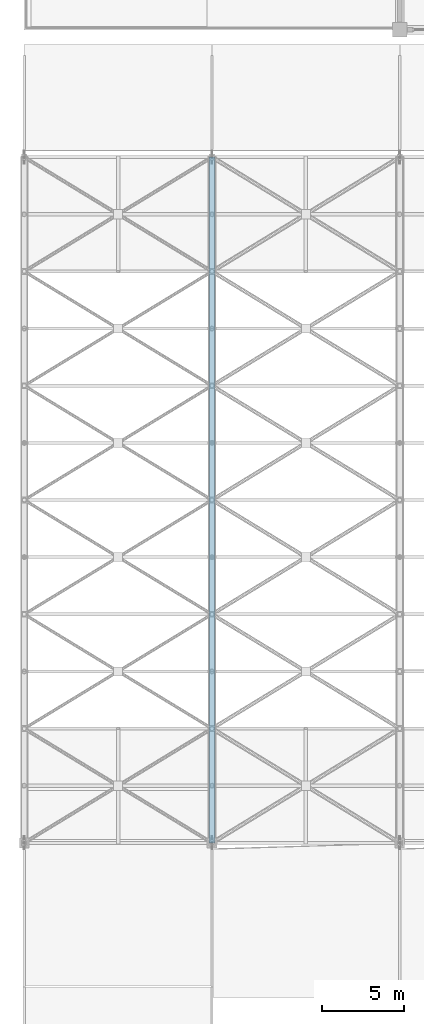
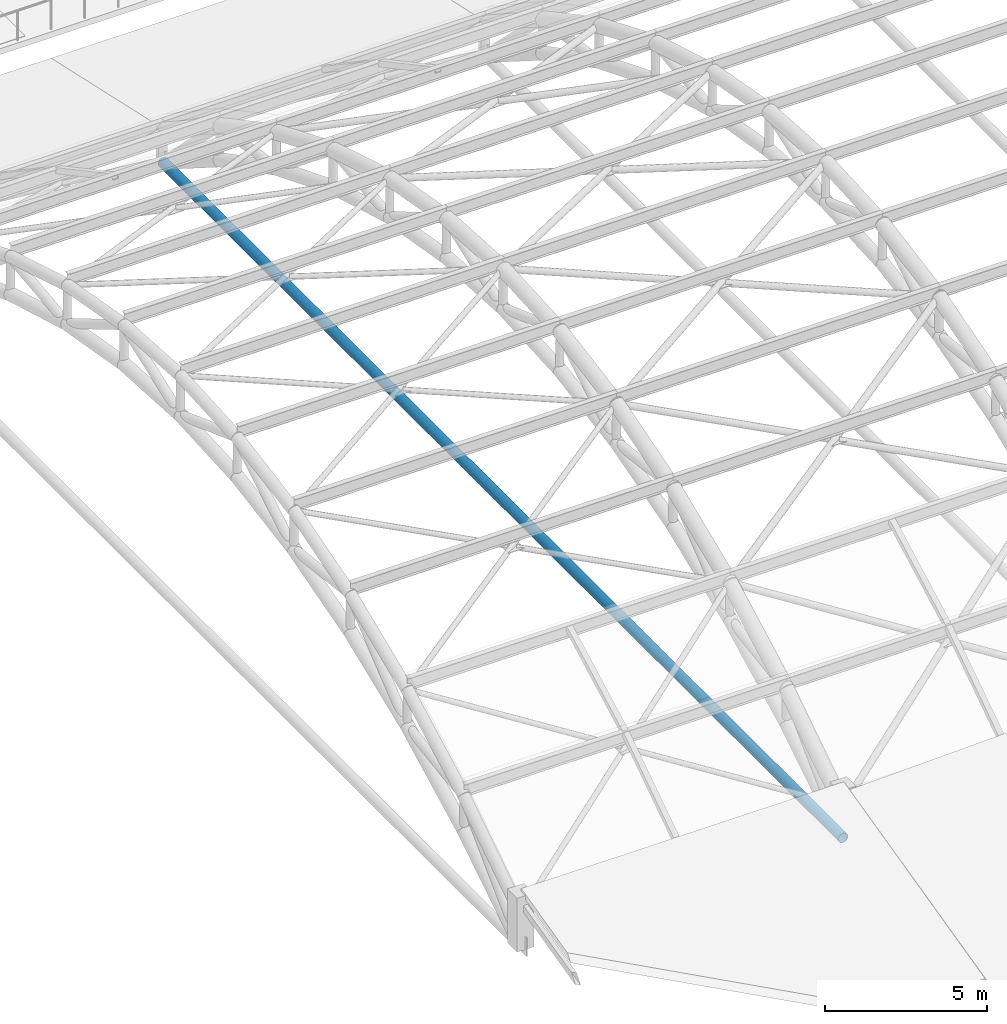
# One storey, part 15 of 154: 1 member.
"""IFC4 building model written with IfcOpenShell, lengths in metres."""

from ifc_helpers import new_model, si_unit, direction, frame, origin, origin_2d, place, context, subcontext, project, spatial, hollow_circle, extrude, material, material_profile, profile_set, type_object, element, save


model = new_model("IFC4")

# Units and contexts
model_context = context("Model", 3, precision=1e-05, world=origin(), true_north=direction((0.0, 1.0)))
body_context = subcontext(model_context, "Body", "Model", "MODEL_VIEW")
ifc_project = project(units=[si_unit("LENGTHUNIT", "METRE"), si_unit("AREAUNIT", "SQUARE_METRE"), si_unit("VOLUMEUNIT", "CUBIC_METRE"), si_unit("PLANEANGLEUNIT", "RADIAN"), si_unit("MASSUNIT", "GRAM", prefix="KILO")], contexts=[model_context])

# Site, building, storey
site_placement = place(None, origin())
site = spatial("IfcSite", under=ifc_project, at=site_placement, CompositionType="ELEMENT")
building_placement = place(site_placement, origin())
building = spatial("IfcBuilding", under=site, at=building_placement, Name="Ologun Quay Terminus", CompositionType="ELEMENT")
storey_placement = place(building_placement, frame((0.0, 0.0, 13.800048828125)))
storey = spatial("IfcBuildingStorey", under=building, at=storey_placement, Name="L03", CompositionType="ELEMENT", Elevation=13.800048828125)

# Member
ifc_material = material(Name="Steel S355", Category="steel")
ifc_material_profile = material_profile(ifc_material, hollow_circle(Radius=0.177734375, WallThickness=0.012451171875, at=origin_2d()), Name="CHS 355.6x12.5")
ifc_profile_set = profile_set([ifc_material_profile], Name="Steel S355")
member_type = type_object("IfcMemberType", Name="Arch Horizontal Tie Chord CHS355", PredefinedType="CHORD", material=ifc_profile_set)
member_placement = place(storey_placement, frame((11.5, 36.0, 0.0), z_axis=(0.0, 1.0, 0.0), x_axis=(-1.0, 0.0, 0.0)))
element("IfcMember", 1, at=member_placement, inside=storey, type_object=member_type, Name="AT1 Arch Tie Chord Grid 2", PredefinedType="CHORD", context=body_context, shape_type="SweptSolid", body=[
    extrude(hollow_circle(Radius=0.177734375, WallThickness=0.012451171875, at=origin_2d()), origin(), (0.0, 0.0, 1.0), 42.0),
])

save(model, "model.ifc")
